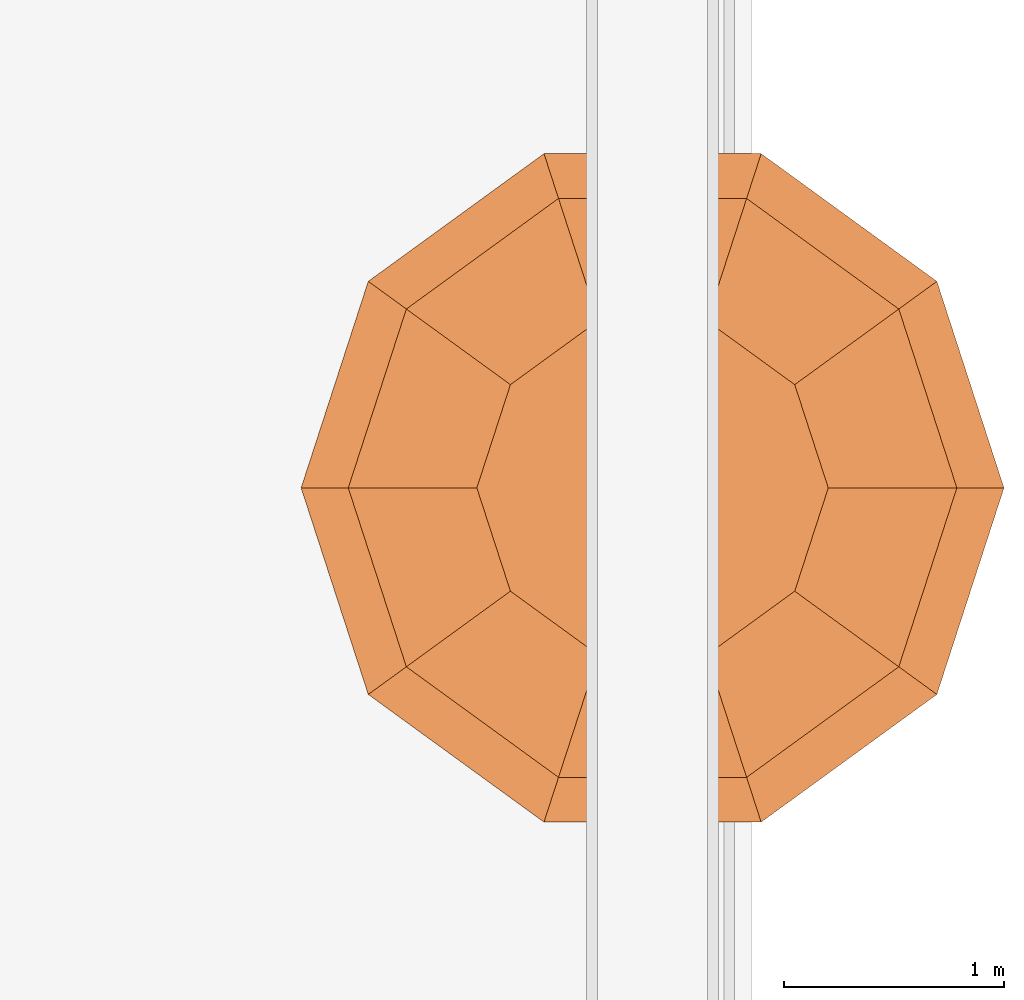
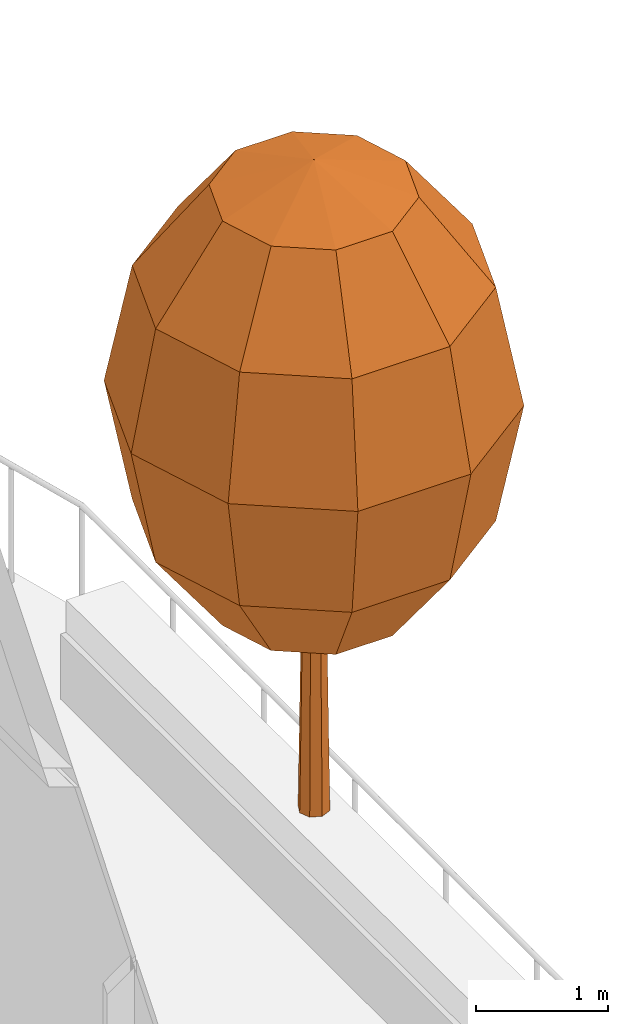
# One storey, part 44 of 44: 1 geographic element.
"""IFC4 building model written with IfcOpenShell, lengths in metres."""

from ifc_helpers import new_model, si_unit, direction, frame, origin, place, context, subcontext, project, spatial, triangles, material, type_object, element, save


model = new_model("IFC4")

# Units and contexts
model_context = context("Model", 3, precision=1e-05, world=origin(), true_north=direction((0.0, 1.0)))
body_context = subcontext(model_context, "Body", "Model", "MODEL_VIEW")
ifc_project = project(units=[si_unit("LENGTHUNIT", "METRE"), si_unit("AREAUNIT", "SQUARE_METRE"), si_unit("VOLUMEUNIT", "CUBIC_METRE"), si_unit("PLANEANGLEUNIT", "RADIAN"), si_unit("MASSUNIT", "GRAM", prefix="KILO")], contexts=[model_context])

# Site, building, storey
site_placement = place(None, origin())
site = spatial("IfcSite", under=ifc_project, at=site_placement, CompositionType="ELEMENT")
building_placement = place(site_placement, origin())
building = spatial("IfcBuilding", under=site, at=building_placement, Name="Hakoniwa Tower and Hamabe Station Hall", CompositionType="ELEMENT")
storey_placement = place(building_placement, frame((0.0, 0.0, 69.0)))
storey = spatial("IfcBuildingStorey", under=building, at=storey_placement, Name="L19", CompositionType="ELEMENT", Elevation=69.0)

# Geographic element
ifc_material = material(Name="Tree foliage")
geographic_element_type = type_object("IfcGeographicElementType", Name="Osmanthus 6.0 m", PredefinedType="USERDEFINED", material=ifc_material)
geographic_element_placement = place(storey_placement, frame((50.35107421875, 16.114501953125, 0.89990234375)))
element("IfcGeographicElement", 1, at=geographic_element_placement, inside=storey, type_object=geographic_element_type, Name="Osmanthus 6-0 m", ObjectType="TREE", PredefinedType="USERDEFINED", context=body_context, shape_type="Tessellation", body=[
    triangles([(0.125, 0.0, 0.0), (0.08837890625, 0.08837890625, 0.0), (0.0, 0.125, 0.0), (-0.08837890625, 0.08837890625, 0.0), (-0.125, 0.0, 0.0), (-0.08837890625, -0.08837890625, 0.0), (0.0, -0.125, 0.0), (0.08837890625, -0.08837890625, 0.0), (0.074951171875, 0.0, 3.6240234375), (0.052978515625, 0.052978515625, 3.6240234375), (0.0, 0.074951171875, 3.6240234375), (-0.052978515625, 0.052978515625, 3.6240234375), (-0.074951171875, 0.0, 3.6240234375), (-0.052978515625, -0.052978515625, 3.6240234375), (0.0, -0.074951171875, 3.6240234375), (0.052978515625, -0.052978515625, 3.6240234375), (0.0, 0.0, 0.0), (0.0, 0.0, 3.6240234375)], [[1, 2, 10], [1, 10, 9], [17, 2, 1], [18, 9, 10], [2, 3, 11], [2, 11, 10], [17, 3, 2], [18, 10, 11], [3, 4, 12], [3, 12, 11], [17, 4, 3], [18, 11, 12], [4, 5, 13], [4, 13, 12], [17, 5, 4], [18, 12, 13], [5, 6, 14], [5, 14, 13], [17, 6, 5], [18, 13, 14], [6, 7, 15], [6, 15, 14], [17, 7, 6], [18, 14, 15], [7, 8, 16], [7, 16, 15], [17, 8, 7], [18, 15, 16], [8, 1, 9], [8, 9, 16], [17, 1, 8], [18, 16, 9]], closed=True),
    triangles([(0.0, 0.0, 1.679931640625), (0.800048828125, 0.0, 1.969482421875), (0.647216796875, 0.47021484375, 1.969482421875), (0.247314453125, 0.7607421875, 1.969482421875), (-0.247314453125, 0.7607421875, 1.969482421875), (-0.647216796875, 0.47021484375, 1.969482421875), (-0.800048828125, 0.0, 1.969482421875), (-0.647216796875, -0.47021484375, 1.969482421875), (-0.247314453125, -0.7607421875, 1.969482421875), (0.247314453125, -0.7607421875, 1.969482421875), (0.647216796875, -0.47021484375, 1.969482421875), (1.385498046875, 0.0, 2.760009765625), (1.12109375, 0.814453125, 2.760009765625), (0.42822265625, 1.31787109375, 2.760009765625), (-0.42822265625, 1.31787109375, 2.760009765625), (-1.12109375, 0.814453125, 2.760009765625), (-1.385498046875, 0.0, 2.760009765625), (-1.12109375, -0.814453125, 2.760009765625), (-0.42822265625, -1.31787109375, 2.760009765625), (0.42822265625, -1.31787109375, 2.760009765625), (1.12109375, -0.814453125, 2.760009765625), (1.60009765625, 0.0, 3.840087890625), (1.29443359375, 0.9404296875, 3.840087890625), (0.494384765625, 1.521728515625, 3.840087890625), (-0.494384765625, 1.521728515625, 3.840087890625), (-1.29443359375, 0.9404296875, 3.840087890625), (-1.60009765625, 0.0, 3.840087890625), (-1.29443359375, -0.9404296875, 3.840087890625), (-0.494384765625, -1.521728515625, 3.840087890625), (0.494384765625, -1.521728515625, 3.840087890625), (1.29443359375, -0.9404296875, 3.840087890625), (1.385498046875, 0.0, 4.919921875), (1.12109375, 0.814453125, 4.919921875), (0.42822265625, 1.31787109375, 4.919921875), (-0.42822265625, 1.31787109375, 4.919921875), (-1.12109375, 0.814453125, 4.919921875), (-1.385498046875, 0.0, 4.919921875), (-1.12109375, -0.814453125, 4.919921875), (-0.42822265625, -1.31787109375, 4.919921875), (0.42822265625, -1.31787109375, 4.919921875), (1.12109375, -0.814453125, 4.919921875), (0.800048828125, 0.0, 5.710693359375), (0.647216796875, 0.47021484375, 5.710693359375), (0.247314453125, 0.7607421875, 5.710693359375), (-0.247314453125, 0.7607421875, 5.710693359375), (-0.647216796875, 0.47021484375, 5.710693359375), (-0.800048828125, 0.0, 5.710693359375), (-0.647216796875, -0.47021484375, 5.710693359375), (-0.247314453125, -0.7607421875, 5.710693359375), (0.247314453125, -0.7607421875, 5.710693359375), (0.647216796875, -0.47021484375, 5.710693359375), (0.0, 0.0, 6.0)], [[1, 3, 2], [1, 4, 3], [1, 5, 4], [1, 6, 5], [1, 7, 6], [1, 8, 7], [1, 9, 8], [1, 10, 9], [1, 11, 10], [1, 2, 11], [2, 3, 13], [2, 13, 12], [3, 4, 14], [3, 14, 13], [4, 5, 15], [4, 15, 14], [5, 6, 16], [5, 16, 15], [6, 7, 17], [6, 17, 16], [7, 8, 18], [7, 18, 17], [8, 9, 19], [8, 19, 18], [9, 10, 20], [9, 20, 19], [10, 11, 21], [10, 21, 20], [11, 2, 12], [11, 12, 21], [12, 13, 23], [12, 23, 22], [13, 14, 24], [13, 24, 23], [14, 15, 25], [14, 25, 24], [15, 16, 26], [15, 26, 25], [16, 17, 27], [16, 27, 26], [17, 18, 28], [17, 28, 27], [18, 19, 29], [18, 29, 28], [19, 20, 30], [19, 30, 29], [20, 21, 31], [20, 31, 30], [21, 12, 22], [21, 22, 31], [22, 23, 33], [22, 33, 32], [23, 24, 34], [23, 34, 33], [24, 25, 35], [24, 35, 34], [25, 26, 36], [25, 36, 35], [26, 27, 37], [26, 37, 36], [27, 28, 38], [27, 38, 37], [28, 29, 39], [28, 39, 38], [29, 30, 40], [29, 40, 39], [30, 31, 41], [30, 41, 40], [31, 22, 32], [31, 32, 41], [32, 33, 43], [32, 43, 42], [33, 34, 44], [33, 44, 43], [34, 35, 45], [34, 45, 44], [35, 36, 46], [35, 46, 45], [36, 37, 47], [36, 47, 46], [37, 38, 48], [37, 48, 47], [38, 39, 49], [38, 49, 48], [39, 40, 50], [39, 50, 49], [40, 41, 51], [40, 51, 50], [41, 32, 42], [41, 42, 51], [52, 42, 43], [52, 43, 44], [52, 44, 45], [52, 45, 46], [52, 46, 47], [52, 47, 48], [52, 48, 49], [52, 49, 50], [52, 50, 51], [52, 51, 42]], closed=True),
])

save(model, "model.ifc")
